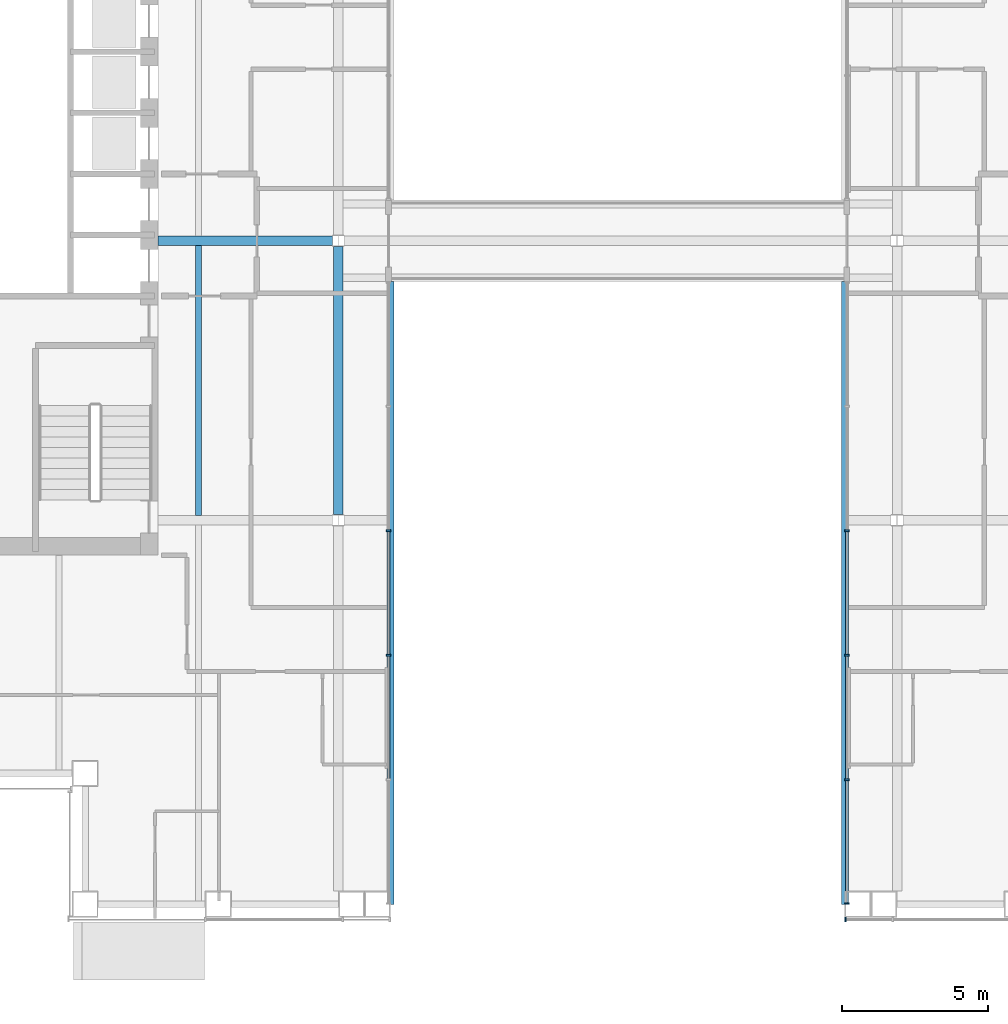
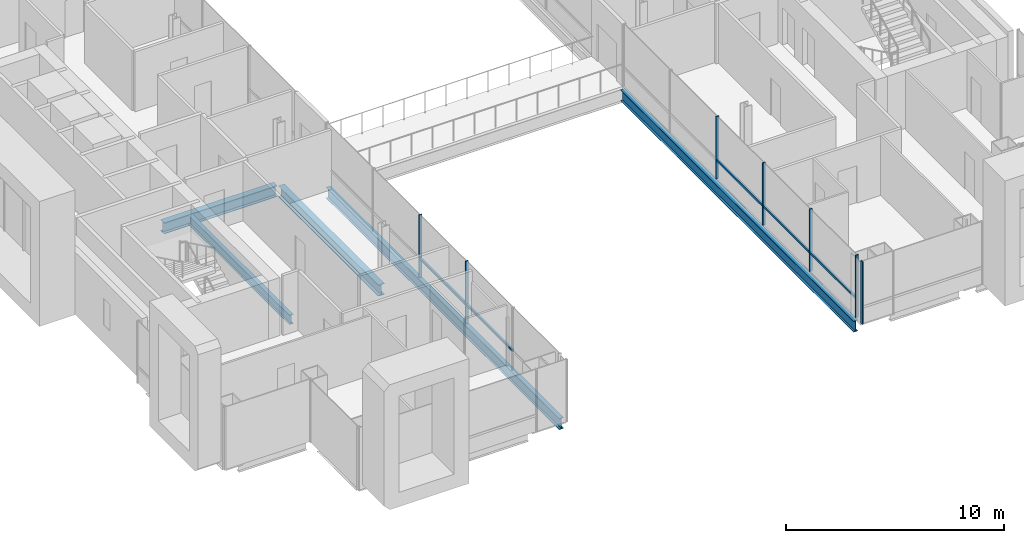
# One storey, part 3 of 20: 12 members, 5 beams, 3 elements without a shape of their own.
"""IFC4 building model written with IfcOpenShell, lengths in metres."""

from ifc_helpers import new_model, si_unit, direction, frame, origin, origin_2d, place, context, subcontext, project, spatial, rectangle, i_section, extrude, material, material_profile, profile_set, type_object, element, aggregate, save


model = new_model("IFC4")

# Units and contexts
model_context = context("Model", 3, precision=1e-05, world=origin(), true_north=direction((0.0, 1.0)))
body_context = subcontext(model_context, "Body", "Model", "MODEL_VIEW")
ifc_project = project(units=[si_unit("LENGTHUNIT", "METRE"), si_unit("AREAUNIT", "SQUARE_METRE"), si_unit("VOLUMEUNIT", "CUBIC_METRE"), si_unit("PLANEANGLEUNIT", "RADIAN"), si_unit("MASSUNIT", "GRAM", prefix="KILO")], contexts=[model_context])

# Site, building, storey
site_placement = place(None, origin())
site = spatial("IfcSite", under=ifc_project, at=site_placement, CompositionType="ELEMENT")
building_placement = place(site_placement, origin())
building = spatial("IfcBuilding", under=site, at=building_placement, Name="Cobrizo Arcos Hotel Tower", CompositionType="ELEMENT")
storey_placement = place(building_placement, frame((0.0, 0.0, 124.0)))
storey = spatial("IfcBuildingStorey", under=building, at=storey_placement, Name="L31", CompositionType="ELEMENT", Elevation=124.0)

# Curtain wall, member
ifc_material_1 = material(Name="Aluminium 6063-T6 anodised bronze", Category="aluminium")
curtain_wall_type_1 = type_object("IfcCurtainWallType", Name="CW-A guest facade", PredefinedType="NOTDEFINED", material=ifc_material_1)
curtain_wall_1_placement = place(storey_placement, origin())
curtain_wall_1 = element("IfcCurtainWall", 1, at=curtain_wall_1_placement, inside=storey, type_object=curtain_wall_type_1, Name="CW-A L31 S face", PredefinedType="NOTDEFINED")
ifc_material_profile_1 = material_profile(ifc_material_1, rectangle(XDim=0.14990234375, YDim=0.06005859375, at=origin_2d()), Name="CW-A mullion 150x60")
ifc_profile_set_1 = profile_set([ifc_material_profile_1], Name="Aluminium 6063-T6 anodised bronze")
member_type_1 = type_object("IfcMemberType", Name="CW-A mullion 150x60", PredefinedType="MULLION", material=ifc_profile_set_1)
member_1_placement = place(storey_placement, frame((7.830078125, -23.324951171875, 0.0), z_axis=(0.0, 0.0, 1.0), x_axis=(0.0, -1.0, 0.0)))
member_1 = element("IfcMember", 2, at=member_1_placement, type_object=member_type_1, Name="CW-A mullion 1", PredefinedType="MULLION", context=body_context, shape_type="SweptSolid", body=[
    extrude(rectangle(XDim=0.14990234375, YDim=0.06005859375, at=origin_2d()), origin(), (0.0, 0.0, 1.0), 3.5),
])
aggregate(curtain_wall_1, [member_1])

# Curtain wall, members
curtain_wall_type_2 = type_object("IfcCurtainWallType", Name="CW-F void screen", PredefinedType="NOTDEFINED", material=ifc_material_1)
curtain_wall_2_placement = place(storey_placement, origin())
curtain_wall_2 = element("IfcCurtainWall", 3, at=curtain_wall_2_placement, inside=storey, type_object=curtain_wall_type_2, Name="CW-F L31 void screen B", PredefinedType="NOTDEFINED")
ifc_material_profile_2 = material_profile(ifc_material_1, rectangle(XDim=0.14990234375, YDim=0.06005859375, at=origin_2d()), Name="CW-F mullion 150x60")
ifc_profile_set_2 = profile_set([ifc_material_profile_2], Name="Aluminium 6063-T6 anodised bronze")
member_type_2 = type_object("IfcMemberType", Name="CW-F mullion 150x60", PredefinedType="MULLION", material=ifc_profile_set_2)
member_2_placement = place(storey_placement, frame((7.875, -22.77001953125, 0.0), z_axis=(0.0, 0.0, 1.0), x_axis=(1.0, 0.0, 0.0)))
member_2 = element("IfcMember", 4, at=member_2_placement, type_object=member_type_2, Name="CW-F mullion 1", PredefinedType="MULLION", context=body_context, shape_type="SweptSolid", body=[
    extrude(rectangle(XDim=0.14990234375, YDim=0.06005859375, at=origin_2d()), origin(), (0.0, 0.0, 1.0), 3.5),
])
member_3_placement = place(storey_placement, frame((7.875, -18.52001953125, 0.0), z_axis=(0.0, 0.0, 1.0), x_axis=(1.0, 0.0, 0.0)))
member_3 = element("IfcMember", 5, at=member_3_placement, type_object=member_type_2, Name="CW-F mullion 2", PredefinedType="MULLION", context=body_context, shape_type="SweptSolid", body=[
    extrude(rectangle(XDim=0.14990234375, YDim=0.06005859375, at=origin_2d()), origin(), (0.0, 0.0, 1.0), 3.5),
])
member_4_placement = place(storey_placement, frame((7.875, -14.239990234375, 0.0), z_axis=(0.0, 0.0, 1.0), x_axis=(1.0, 0.0, 0.0)))
member_4 = element("IfcMember", 6, at=member_4_placement, type_object=member_type_2, Name="CW-F mullion 3", PredefinedType="MULLION", context=body_context, shape_type="SweptSolid", body=[
    extrude(rectangle(XDim=0.14990234375, YDim=0.06005859375, at=origin_2d()), origin(), (0.0, 0.0, 1.0), 3.5),
])
member_5_placement = place(storey_placement, frame((7.875, -9.9599609375, 0.0), z_axis=(0.0, 0.0, 1.0), x_axis=(1.0, 0.0, 0.0)))
member_5 = element("IfcMember", 7, at=member_5_placement, type_object=member_type_2, Name="CW-F mullion 4", PredefinedType="MULLION", context=body_context, shape_type="SweptSolid", body=[
    extrude(rectangle(XDim=0.14990234375, YDim=0.06005859375, at=origin_2d()), origin(), (0.0, 0.0, 1.0), 3.5),
])

curtain_wall_3_placement = place(storey_placement, origin())
curtain_wall_3 = element("IfcCurtainWall", 8, at=curtain_wall_3_placement, inside=storey, type_object=curtain_wall_type_2, Name="CW-F L31 void screen B", PredefinedType="NOTDEFINED")
member_6_placement = place(storey_placement, frame((-7.875, -9.9599609375, 0.0), z_axis=(0.0, 0.0, 1.0), x_axis=(-1.0, 0.0, 0.0)))
member_6 = element("IfcMember", 9, at=member_6_placement, type_object=member_type_2, Name="CW-F mullion 3", PredefinedType="MULLION", context=body_context, shape_type="SweptSolid", body=[
    extrude(rectangle(XDim=0.14990234375, YDim=0.06005859375, at=origin_2d()), origin(), (0.0, 0.0, 1.0), 3.5),
])
member_7_placement = place(storey_placement, frame((-7.875, -14.239990234375, 0.0), z_axis=(0.0, 0.0, 1.0), x_axis=(-1.0, 0.0, 0.0)))
member_7 = element("IfcMember", 10, at=member_7_placement, type_object=member_type_2, Name="CW-F mullion 4", PredefinedType="MULLION", context=body_context, shape_type="SweptSolid", body=[
    extrude(rectangle(XDim=0.14990234375, YDim=0.06005859375, at=origin_2d()), origin(), (0.0, 0.0, 1.0), 3.5),
])

# Member
ifc_material_profile_3 = material_profile(ifc_material_1, rectangle(XDim=0.10009765625, YDim=0.1201171875, at=origin_2d()), Name="CW-F transom 120x100")
ifc_profile_set_3 = profile_set([ifc_material_profile_3], Name="Aluminium 6063-T6 anodised bronze")
member_type_3 = type_object("IfcMemberType", Name="CW-F transom 120x100", PredefinedType="USERDEFINED", material=ifc_profile_set_3)
member_8_placement = place(storey_placement, frame((7.875, -22.739990234375, 1.050048828125), z_axis=(0.0, 1.0, 0.0), x_axis=(-1.0, 0.0, 0.0)))
member_8 = element("IfcMember", 11, at=member_8_placement, type_object=member_type_3, Name="CW-F transom 2606", ObjectType="TRANSOM", PredefinedType="USERDEFINED", context=body_context, shape_type="SweptSolid", body=[
    extrude(rectangle(XDim=0.10009765625, YDim=0.1201171875, at=origin_2d()), origin(), (0.0, 0.0, 1.0), 4.18994140625),
])

member_9_placement = place(storey_placement, frame((7.875, -18.489990234375, 1.050048828125), z_axis=(0.0, 1.0, 0.0), x_axis=(-1.0, 0.0, 0.0)))
member_9 = element("IfcMember", 12, at=member_9_placement, type_object=member_type_3, Name="CW-F transom 2607", ObjectType="TRANSOM", PredefinedType="USERDEFINED", context=body_context, shape_type="SweptSolid", body=[
    extrude(rectangle(XDim=0.10009765625, YDim=0.1201171875, at=origin_2d()), origin(), (0.0, 0.0, 1.0), 4.219970703125),
])

member_10_placement = place(storey_placement, frame((7.875, -14.2099609375, 1.050048828125), z_axis=(0.0, 1.0, 0.0), x_axis=(-1.0, 0.0, 0.0)))
member_10 = element("IfcMember", 13, at=member_10_placement, type_object=member_type_3, Name="CW-F transom 2608", ObjectType="TRANSOM", PredefinedType="USERDEFINED", context=body_context, shape_type="SweptSolid", body=[
    extrude(rectangle(XDim=0.10009765625, YDim=0.1201171875, at=origin_2d()), origin(), (0.0, 0.0, 1.0), 4.219970703125),
])

aggregate(curtain_wall_2, [member_2, member_3, member_4, member_5, member_8, member_9, member_10])

member_11_placement = place(storey_placement, frame((-7.875, -9.989990234375, 1.050048828125), z_axis=(0.0, -1.0, 0.0), x_axis=(1.0, 0.0, 0.0)))
member_11 = element("IfcMember", 14, at=member_11_placement, type_object=member_type_3, Name="CW-F transom 2623", ObjectType="TRANSOM", PredefinedType="USERDEFINED", context=body_context, shape_type="SweptSolid", body=[
    extrude(rectangle(XDim=0.10009765625, YDim=0.1201171875, at=origin_2d()), origin(), (0.0, 0.0, 1.0), 4.219970703125),
])

member_12_placement = place(storey_placement, frame((-7.875, -14.27001953125, 1.050048828125), z_axis=(0.0, -1.0, 0.0), x_axis=(1.0, 0.0, 0.0)))
member_12 = element("IfcMember", 15, at=member_12_placement, type_object=member_type_3, Name="CW-F transom 2624", ObjectType="TRANSOM", PredefinedType="USERDEFINED", context=body_context, shape_type="SweptSolid", body=[
    extrude(rectangle(XDim=0.10009765625, YDim=0.1201171875, at=origin_2d()), origin(), (0.0, 0.0, 1.0), 4.219970703125),
])

aggregate(curtain_wall_3, [member_6, member_7, member_11, member_12])

# Beams
ifc_material_2 = material(Name="Steel ASTM A992 Grade 50", Category="steel")
ifc_material_profile_4 = material_profile(ifc_material_2, i_section(OverallWidth=0.209228515625, OverallDepth=0.533447265625, WebThickness=0.01025390625, FlangeThickness=0.015625, at=origin_2d()), Name="W21X62")
ifc_profile_set_4 = profile_set([ifc_material_profile_4], Name="Steel ASTM A992 Grade 50")
beam_type_1 = type_object("IfcBeamType", Name="W21X62 joist", PredefinedType="JOIST", material=ifc_profile_set_4)
beam_1_placement = place(storey_placement, frame((-14.39990234375, -9.43603515625, -0.416748046875), z_axis=(0.0, 1.0, 0.0), x_axis=(-1.0, 0.0, 0.0)))
element("IfcBeam", 16, at=beam_1_placement, inside=storey, type_object=beam_type_1, Name="Floor joist J1, L31, no. 004", PredefinedType="JOIST", context=body_context, shape_type="SweptSolid", body=[
    extrude(i_section(OverallWidth=0.209228515625, OverallDepth=0.533447265625, WebThickness=0.01025390625, FlangeThickness=0.015625, at=origin_2d()), origin(), (0.0, 0.0, 1.0), 9.272216796875),
])
ifc_material_profile_5 = material_profile(ifc_material_2, i_section(OverallWidth=0.32763671875, OverallDepth=0.622314453125, WebThickness=0.015380859375, FlangeThickness=0.0244140625, at=origin_2d()), Name="W24X131")
ifc_profile_set_5 = profile_set([ifc_material_profile_5], Name="Steel ASTM A992 Grade 50")
beam_type_2 = type_object("IfcBeamType", Name="W24X131 girder", PredefinedType="BEAM", material=ifc_profile_set_5)
beam_2_placement = place(storey_placement, frame((-15.7900390625, 0.0, -0.461181640625), z_axis=(1.0, 0.0, 0.0), x_axis=(0.0, 1.0, 0.0)))
element("IfcBeam", 17, at=beam_2_placement, inside=storey, type_object=beam_type_2, Name="Floor girder G1, L31, no. 005", PredefinedType="BEAM", context=body_context, shape_type="SweptSolid", body=[
    extrude(i_section(OverallWidth=0.32763671875, OverallDepth=0.622314453125, WebThickness=0.015380859375, FlangeThickness=0.0244140625, at=origin_2d()), origin(), (0.0, 0.0, 1.0), 5.99072265625),
])
beam_3_placement = place(storey_placement, frame((-9.60009765625, -9.400634765625, -0.461181640625), z_axis=(0.0, 1.0, 0.0), x_axis=(-1.0, 0.0, 0.0)))
element("IfcBeam", 18, at=beam_3_placement, inside=storey, type_object=beam_type_2, Name="Floor girder G1, L31, no. 013", PredefinedType="BEAM", context=body_context, shape_type="SweptSolid", body=[
    extrude(i_section(OverallWidth=0.32763671875, OverallDepth=0.622314453125, WebThickness=0.015380859375, FlangeThickness=0.0244140625, at=origin_2d()), origin(), (0.0, 0.0, 1.0), 9.201171875),
])
ifc_material_profile_6 = material_profile(ifc_material_2, i_section(OverallWidth=0.23046875, OverallDepth=0.6171875, WebThickness=0.01318359375, FlangeThickness=0.022216796875, at=origin_2d()), Name="W24X94")
ifc_profile_set_6 = profile_set([ifc_material_profile_6], Name="Steel ASTM A992 Grade 50")
beam_type_3 = type_object("IfcBeamType", Name="W24X94 spandrel", PredefinedType="SPANDREL", material=ifc_profile_set_6)
for number, where, z_axis, x_axis, name in (
    (19, (7.800048828125, -22.800048828125, -0.45849609375), (0.0, 1.0, 0.0), (-1.0, 0.0, 0.0), "Spandrel beam W24X94, L31, no. 010"),
    (20, (-7.800048828125, -1.39990234375, -0.45849609375), (0.0, -1.0, 0.0), (1.0, 0.0, 0.0), "Spandrel beam W24X94, L31, no. 011"),
):
    element("IfcBeam", number, at=place(storey_placement, frame(where, z_axis=z_axis, x_axis=x_axis)), inside=storey, type_object=beam_type_3, Name=name, PredefinedType="SPANDREL", context=body_context, shape_type="SweptSolid", body=[
        extrude(i_section(OverallWidth=0.23046875, OverallDepth=0.6171875, WebThickness=0.01318359375, FlangeThickness=0.022216796875, at=origin_2d()), origin(), (0.0, 0.0, 1.0), 21.400146484375),
    ])

save(model, "model.ifc")
